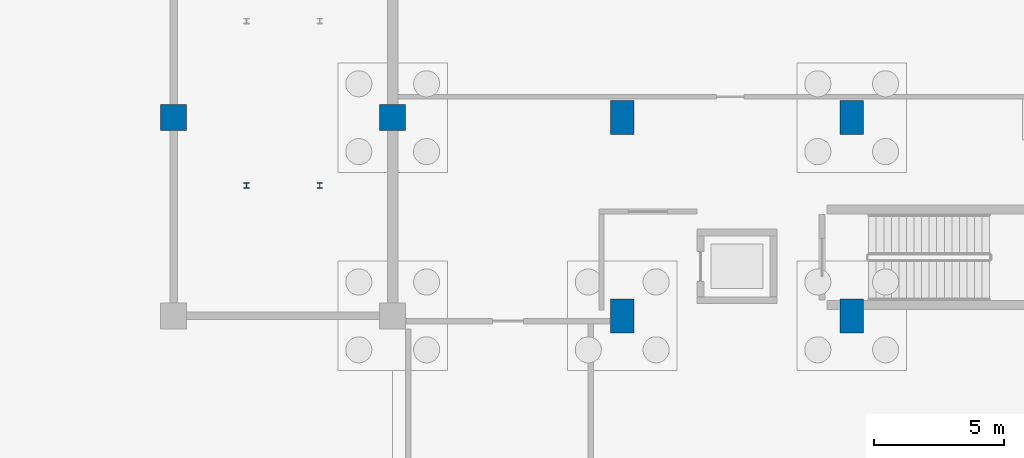
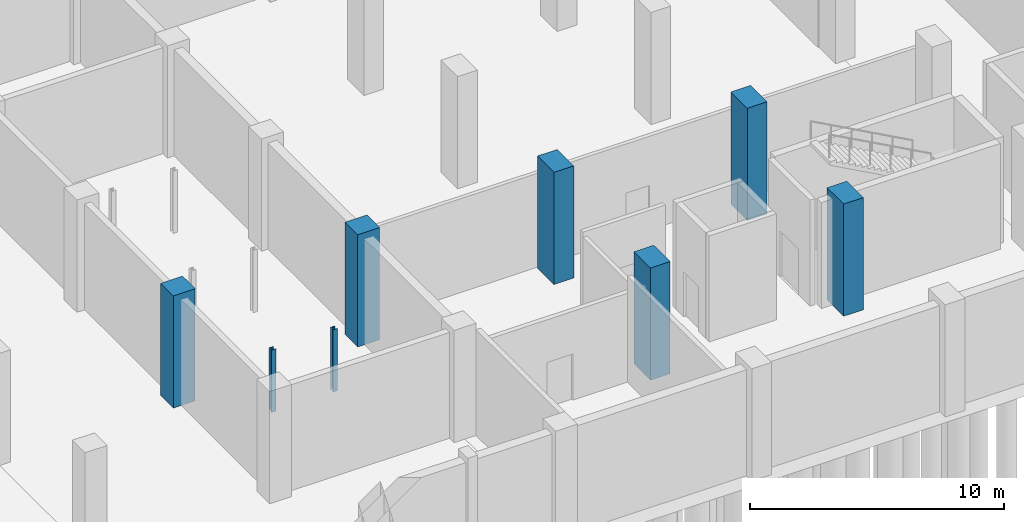
# One storey, part 4 of 20: 8 columns.
"""IFC4 building model written with IfcOpenShell, lengths in metres."""

from ifc_helpers import new_model, si_unit, direction, frame, origin, origin_2d, place, context, subcontext, project, spatial, rectangle, i_section, extrude, material, material_profile, profile_set, type_object, element, save


model = new_model("IFC4")

# Units and contexts
model_context = context("Model", 3, precision=1e-05, world=origin(), true_north=direction((0.0, 1.0)))
body_context = subcontext(model_context, "Body", "Model", "MODEL_VIEW")
ifc_project = project(units=[si_unit("LENGTHUNIT", "METRE"), si_unit("AREAUNIT", "SQUARE_METRE"), si_unit("VOLUMEUNIT", "CUBIC_METRE"), si_unit("PLANEANGLEUNIT", "RADIAN"), si_unit("MASSUNIT", "GRAM", prefix="KILO")], contexts=[model_context])

# Site, building, storey
site_placement = place(None, origin())
site = spatial("IfcSite", under=ifc_project, at=site_placement, CompositionType="ELEMENT")
building_placement = place(site_placement, origin())
building = spatial("IfcBuilding", under=site, at=building_placement, Name="Shengluoqiao Park Theatre", CompositionType="ELEMENT")
storey_placement = place(building_placement, frame((0.0, 0.0, -5.39990234375)))
storey = spatial("IfcBuildingStorey", under=building, at=storey_placement, Name="B1", CompositionType="ELEMENT", Elevation=-5.39990234375)

# Columns
ifc_material_1 = material(Name="Steel Q355", Category="steel")
ifc_material_profile_1 = material_profile(ifc_material_1, i_section(OverallWidth=0.2041015625, OverallDepth=0.199951171875, WebThickness=0.011962890625, FlangeThickness=0.011962890625, FilletRadius=0.012939453125, at=origin_2d()), Name="HW 200x204x12x12")
ifc_profile_set_1 = profile_set([ifc_material_profile_1], Name="Steel Q355")
column_type_1 = type_object("IfcColumnType", Name="STR-COL-C-HW204", PredefinedType="COLUMN", material=ifc_profile_set_1)
for number, where, z_axis, x_axis, name in (
    (1, (80.800048828125, 89.0, 0.0), (0.0, 0.0, 1.0), (1.0, 0.0, 0.0), "Pit Support Column 0885"),
    (2, (83.60009765625, 89.0, 0.0), (0.0, 0.0, 1.0), (1.0, 0.0, 0.0), "Pit Support Column 0888"),
):
    element("IfcColumn", number, at=place(storey_placement, frame(where, z_axis=z_axis, x_axis=x_axis)), inside=storey, type_object=column_type_1, Name=name, PredefinedType="COLUMN", context=body_context, shape_type="SweptSolid", body=[
        extrude(i_section(OverallWidth=0.2041015625, OverallDepth=0.199951171875, WebThickness=0.011962890625, FlangeThickness=0.011962890625, FilletRadius=0.012939453125, at=origin_2d()), origin(), (0.0, 0.0, 1.0), 3.0),
    ])
ifc_material_2 = material(Name="Concrete C50", Category="concrete")
ifc_material_profile_2 = material_profile(ifc_material_2, rectangle(XDim=1.0, YDim=1.0, at=origin_2d()), Name="RC 1000x1000")
ifc_profile_set_2 = profile_set([ifc_material_profile_2], Name="Concrete C50")
column_type_2 = type_object("IfcColumnType", Name="STR-COL-C-RC1000", PredefinedType="COLUMN", material=ifc_profile_set_2)
for number, where, z_axis, x_axis, name in (
    (3, (78.0, 91.60009765625, 0.0), (0.0, 0.0, 1.0), (1.0, 0.0, 0.0), "B1 Column 0397"),
    (4, (86.39990234375, 91.60009765625, 0.0), (0.0, 0.0, 1.0), (1.0, 0.0, 0.0), "B1 Column 0435"),
):
    element("IfcColumn", number, at=place(storey_placement, frame(where, z_axis=z_axis, x_axis=x_axis)), inside=storey, type_object=column_type_2, Name=name, PredefinedType="COLUMN", context=body_context, shape_type="SweptSolid", body=[
        extrude(rectangle(XDim=1.0, YDim=1.0, at=origin_2d()), origin(), (0.0, 0.0, 1.0), 5.39990234375),
    ])
ifc_material_profile_3 = material_profile(ifc_material_2, rectangle(XDim=0.89990234375, YDim=1.300048828125, at=origin_2d()), Name="RC 900x1300")
ifc_profile_set_3 = profile_set([ifc_material_profile_3], Name="Concrete C50")
column_type_3 = type_object("IfcColumnType", Name="STR-COL-C-RC9013", PredefinedType="COLUMN", material=ifc_profile_set_3)
for number, where, z_axis, x_axis, name in (
    (5, (95.199951171875, 84.0, 0.0), (0.0, 0.0, 1.0), (1.0, 0.0, 0.0), "B1 Column 0468"),
    (6, (95.199951171875, 91.60009765625, 0.0), (0.0, 0.0, 1.0), (1.0, 0.0, 0.0), "B1 Column 0475"),
    (7, (104.0, 84.0, 0.0), (0.0, 0.0, 1.0), (1.0, 0.0, 0.0), "B1 Column 0502"),
    (8, (104.0, 91.60009765625, 0.0), (0.0, 0.0, 1.0), (1.0, 0.0, 0.0), "B1 Column 0509"),
):
    element("IfcColumn", number, at=place(storey_placement, frame(where, z_axis=z_axis, x_axis=x_axis)), inside=storey, type_object=column_type_3, Name=name, PredefinedType="COLUMN", context=body_context, shape_type="SweptSolid", body=[
        extrude(rectangle(XDim=0.89990234375, YDim=1.300048828125, at=origin_2d()), origin(), (0.0, 0.0, 1.0), 5.39990234375),
    ])

save(model, "model.ifc")
